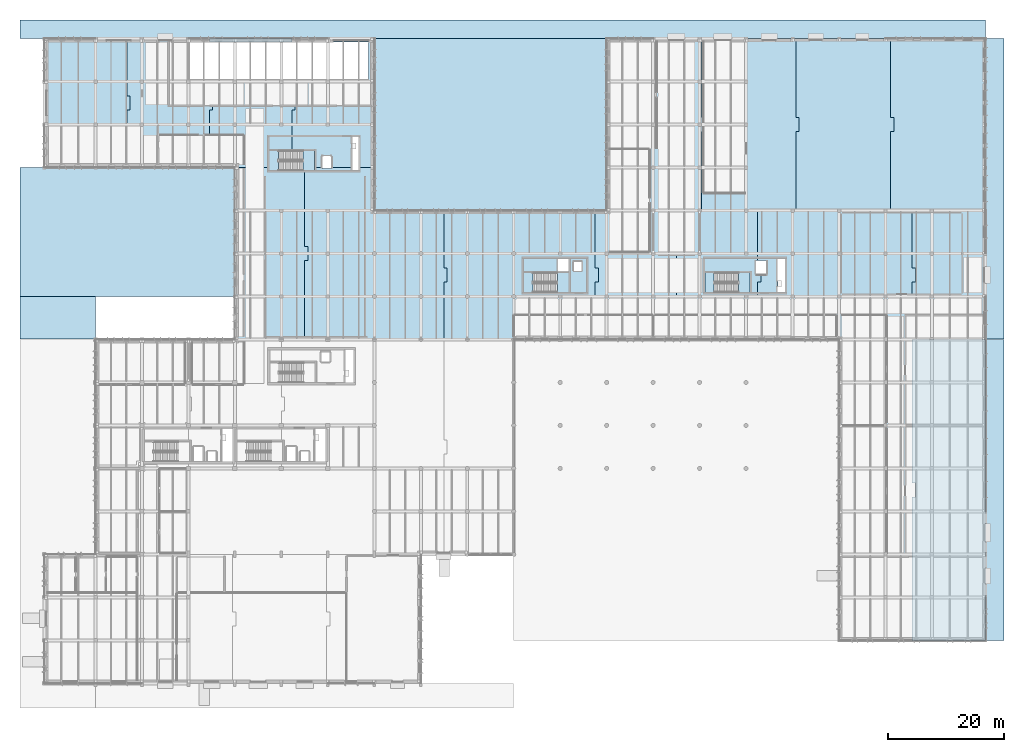
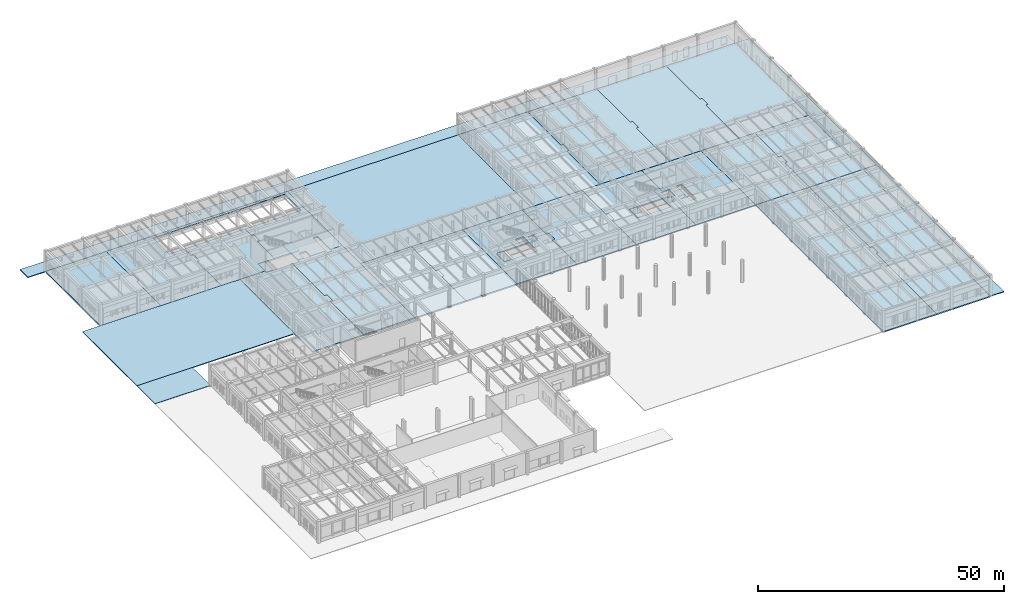
# One storey, part 13 of 56: 33 slabs, 3 elements without a shape of their own.
"""IFC4 building model written with IfcOpenShell, lengths in metres."""

from ifc_helpers import new_model, si_unit, direction, frame, origin, place, context, subcontext, project, spatial, polyline, outline, extrude, material, layer, layer_set, type_object, element, aggregate, save


model = new_model("IFC4")

# Units and contexts
model_context = context("Model", 3, precision=1e-05, world=origin(), true_north=direction((0.0, 1.0)))
body_context = subcontext(model_context, "Body", "Model", "MODEL_VIEW")
ifc_project = project(units=[si_unit("LENGTHUNIT", "METRE"), si_unit("AREAUNIT", "SQUARE_METRE"), si_unit("VOLUMEUNIT", "CUBIC_METRE"), si_unit("PLANEANGLEUNIT", "RADIAN"), si_unit("MASSUNIT", "GRAM", prefix="KILO")], contexts=[model_context])

# Site, building, storey
site_placement = place(None, origin())
site = spatial("IfcSite", under=ifc_project, at=site_placement, CompositionType="ELEMENT")
building_placement = place(site_placement, origin())
building = spatial("IfcBuilding", under=site, at=building_placement, Name="Valkorina Park Police Headquarters", CompositionType="ELEMENT")
storey_placement = place(building_placement, origin())
storey = spatial("IfcBuildingStorey", under=building, at=storey_placement, Name="L01", CompositionType="ELEMENT", Elevation=0.0)

# Stair, slab
ifc_material_1 = material(Name="Concrete C35/45", Category="concrete")
stair_type = type_object("IfcStairType", Name="ST-DOGLEG-160-54", PredefinedType="HALF_TURN_STAIR", material=ifc_material_1)
stair_1_placement = place(storey_placement, origin())
stair_1 = element("IfcStair", 1, at=stair_1_placement, inside=storey, type_object=stair_type, Name="L01 Core C4 Protected Stair (ST-02)", PredefinedType="HALF_TURN_STAIR")
ifc_layer_1 = layer(ifc_material_1, 0.22998046875)
ifc_layer_set_1 = layer_set([ifc_layer_1], Name="Concrete C35/45")
slab_type_1 = type_object("IfcSlabType", Name="SL-LANDING-230", PredefinedType="LANDING", material=ifc_layer_set_1)
slab_1_placement = place(storey_placement, frame((0.0, 0.0, 2.469970703125)))
slab_1 = element("IfcSlab", 2, at=slab_1_placement, type_object=slab_type_1, Name="ST-02 landing 1", PredefinedType="LANDING", context=body_context, shape_type="SweptSolid", body=[
    extrude(outline(polyline([(44.5, 88.300048828125), (46.5, 88.300048828125), (46.5, 91.699951171875), (44.5, 91.699951171875), (44.5, 88.300048828125)])), origin(), (0.0, 0.0, 1.0), 0.22998046875),
])
aggregate(stair_1, [slab_1])

stair_2_placement = place(storey_placement, origin())
stair_2 = element("IfcStair", 3, at=stair_2_placement, inside=storey, type_object=stair_type, Name="L01 Core C5 Protected Stair (ST-02)", PredefinedType="HALF_TURN_STAIR")
slab_2_placement = place(storey_placement, frame((0.0, 0.0, 2.469970703125)))
slab_2 = element("IfcSlab", 4, at=slab_2_placement, type_object=slab_type_1, Name="ST-02 landing 1", PredefinedType="LANDING", context=body_context, shape_type="SweptSolid", body=[
    extrude(outline(polyline([(119.5, 67.300048828125), (121.5, 67.300048828125), (121.5, 70.699951171875), (119.5, 70.699951171875), (119.5, 67.300048828125)])), origin(), (0.0, 0.0, 1.0), 0.22998046875),
])
aggregate(stair_2, [slab_2])

stair_3_placement = place(storey_placement, origin())
stair_3 = element("IfcStair", 5, at=stair_3_placement, inside=storey, type_object=stair_type, Name="L01 Core C6 Protected Stair (ST-02)", PredefinedType="HALF_TURN_STAIR")
slab_3_placement = place(storey_placement, frame((0.0, 0.0, 2.469970703125)))
slab_3 = element("IfcSlab", 6, at=slab_3_placement, type_object=slab_type_1, Name="ST-02 landing 1", PredefinedType="LANDING", context=body_context, shape_type="SweptSolid", body=[
    extrude(outline(polyline([(88.300048828125, 67.300048828125), (90.300048828125, 67.300048828125), (90.300048828125, 70.699951171875), (88.300048828125, 70.699951171875), (88.300048828125, 67.300048828125)])), origin(), (0.0, 0.0, 1.0), 0.22998046875),
])
aggregate(stair_3, [slab_3])

# Slabs
ifc_layer_2 = layer(ifc_material_1, 0.179931640625)
ifc_layer_set_2 = layer_set([ifc_layer_2], Name="Concrete C35/45")
slab_type_2 = type_object("IfcSlabType", Name="SL-PAVING-EXT-180", PredefinedType="USERDEFINED", material=ifc_layer_set_2)
slab_4_placement = place(storey_placement, frame((0.0, 0.0, -0.179931640625)))
element("IfcSlab", 7, at=slab_4_placement, inside=storey, type_object=slab_type_2, Name="Civic Arrival Forecourt Apron 2", ObjectType="PAVING", PredefinedType="USERDEFINED", context=body_context, shape_type="SweptSolid", body=[
    extrude(outline(polyline([(-4.199951171875, 59.241943359375), (8.800048828125, 59.241943359375), (8.800048828125, 66.60009765625), (-4.199951171875, 66.60009765625), (-4.199951171875, 59.241943359375)])), origin(), (0.0, 0.0, 1.0), 0.179931640625),
])
slab_5_placement = place(storey_placement, frame((0.0, 0.0, -0.179931640625)))
element("IfcSlab", 8, at=slab_5_placement, inside=storey, type_object=slab_type_2, Name="North Fleet and Sally-Port Driveway Apron 1", ObjectType="PAVING", PredefinedType="USERDEFINED", context=body_context, shape_type="SweptSolid", body=[
    extrude(outline(polyline([(-4.199951171875, 111.0), (0.0, 111.0), (56.800048828125, 111.0), (96.800048828125, 111.0), (162.0, 111.0), (162.0, 114.199951171875), (-4.199951171875, 114.199951171875), (-4.199951171875, 111.0)])), origin(), (0.0, 0.0, 1.0), 0.179931640625),
])
slab_6_placement = place(storey_placement, frame((0.0, 0.0, -0.179931640625)))
element("IfcSlab", 9, at=slab_6_placement, inside=storey, type_object=slab_type_2, Name="West Sally-Port Pull-Through Apron 1", ObjectType="PAVING", PredefinedType="USERDEFINED", context=body_context, shape_type="SweptSolid", body=[
    extrude(outline(polyline([(32.800048828125, 66.60009765625), (32.800048828125, 88.800048828125), (0.0, 88.800048828125), (-4.199951171875, 88.800048828125), (-4.199951171875, 66.60009765625), (32.800048828125, 66.60009765625)])), origin(), (0.0, 0.0, 1.0), 0.179931640625),
])
slab_7_placement = place(storey_placement, frame((0.0, 0.0, -0.179931640625)))
element("IfcSlab", 10, at=slab_7_placement, inside=storey, type_object=slab_type_2, Name="East Fire-Appliance Access Apron 1", ObjectType="PAVING", PredefinedType="USERDEFINED", context=body_context, shape_type="SweptSolid", body=[
    extrude(outline(polyline([(165.199951171875, 111.0), (162.0, 111.0), (162.0, 81.39990234375), (162.0, 59.241943359375), (165.199951171875, 59.241943359375), (165.199951171875, 111.0)])), origin(), (0.0, 0.0, 1.0), 0.179931640625),
])
slab_8_placement = place(storey_placement, frame((0.0, 0.0, -0.179931640625)))
element("IfcSlab", 11, at=slab_8_placement, inside=storey, type_object=slab_type_2, Name="East Fire-Appliance Access Apron 2", ObjectType="PAVING", PredefinedType="USERDEFINED", context=body_context, shape_type="SweptSolid", body=[
    extrude(outline(polyline([(165.199951171875, 59.19189453125), (162.0, 59.19189453125), (162.0, 7.39990234375), (165.199951171875, 7.39990234375), (165.199951171875, 59.19189453125)])), origin(), (0.0, 0.0, 1.0), 0.179931640625),
])
ifc_layer_3 = layer(ifc_material_1, 0.280029296875)
ifc_layer_set_3 = layer_set([ifc_layer_3], Name="Concrete C35/45")
slab_type_3 = type_object("IfcSlabType", Name="SL-PAVING-EXT-280", PredefinedType="USERDEFINED", material=ifc_layer_set_3)
slab_9_placement = place(storey_placement, frame((0.0, 0.0, -0.280029296875)))
element("IfcSlab", 12, at=slab_9_placement, inside=storey, type_object=slab_type_3, Name="North Fleet Courtyard Structural Deck over B01", ObjectType="PAVING", PredefinedType="USERDEFINED", context=body_context, shape_type="SweptSolid", body=[
    extrude(outline(polyline([(96.800048828125, 81.39990234375), (96.800048828125, 111.0), (56.800048828125, 111.0), (56.800048828125, 81.39990234375), (96.800048828125, 81.39990234375)])), origin(), (0.0, 0.0, 1.0), 0.280029296875),
])
ifc_material_2 = material(Name="Concrete C40/50", Category="concrete")
ifc_layer_4 = layer(ifc_material_2, 0.35009765625)
ifc_layer_set_4 = layer_set([ifc_layer_4], Name="Concrete C40/50")
slab_type_4 = type_object("IfcSlabType", Name="SL-PODIUM-HVY-350", PredefinedType="FLOOR", material=ifc_layer_set_4)
slab_10_placement = place(storey_placement, frame((0.0, 0.0, -0.35009765625)))
element("IfcSlab", 13, at=slab_10_placement, inside=storey, type_object=slab_type_4, Name="L01 Structural Floor Slab 11", PredefinedType="FLOOR", context=body_context, shape_type="SweptSolid", body=[
    extrude(outline(polyline([(68.800048828125, 59.241943359375), (68.800048828125, 69.12109375), (69.35009765625, 69.12109375), (69.35009765625, 71.52099609375), (68.800048828125, 71.52099609375), (68.800048828125, 81.39990234375), (56.800048828125, 81.39990234375), (56.800048828125, 59.241943359375), (68.800048828125, 59.241943359375)])), origin(), (0.0, 0.0, 1.0), 0.35009765625),
])
slab_11_placement = place(storey_placement, frame((0.0, 0.0, -0.35009765625)))
element("IfcSlab", 14, at=slab_11_placement, inside=storey, type_object=slab_type_4, Name="L01 Structural Floor Slab 12", PredefinedType="FLOOR", context=body_context, shape_type="SweptSolid", body=[
    extrude(outline(polyline([(68.800048828125, 81.39990234375), (68.800048828125, 71.52099609375), (69.35009765625, 71.52099609375), (69.35009765625, 69.12109375), (68.800048828125, 69.12109375), (68.800048828125, 59.241943359375), (80.800048828125, 59.241943359375), (80.800048828125, 81.39990234375), (68.800048828125, 81.39990234375)])), origin(), (0.0, 0.0, 1.0), 0.35009765625),
])
slab_12_placement = place(storey_placement, frame((0.0, 0.0, -0.35009765625)))
element("IfcSlab", 15, at=slab_12_placement, inside=storey, type_object=slab_type_4, Name="L01 Structural Floor Slab 15", PredefinedType="FLOOR", context=body_context, shape_type="SweptSolid", body=[
    extrude(outline(polyline([(14.199951171875, 88.800048828125), (14.199951171875, 98.699951171875), (14.75, 98.699951171875), (14.75, 101.10009765625), (14.199951171875, 101.10009765625), (14.199951171875, 111.0), (0.0, 111.0), (0.0, 88.800048828125), (14.199951171875, 88.800048828125)])), origin(), (0.0, 0.0, 1.0), 0.35009765625),
])
slab_13_placement = place(storey_placement, frame((0.0, 0.0, -0.35009765625)))
element("IfcSlab", 16, at=slab_13_placement, inside=storey, type_object=slab_type_4, Name="L01 Structural Floor Slab 16", PredefinedType="FLOOR", context=body_context, shape_type="SweptSolid", body=[
    extrude(outline(polyline([(28.39990234375, 111.0), (14.199951171875, 111.0), (14.199951171875, 101.10009765625), (14.75, 101.10009765625), (14.75, 98.699951171875), (14.199951171875, 98.699951171875), (14.199951171875, 88.800048828125), (28.39990234375, 88.800048828125), (28.39990234375, 98.699951171875), (28.949951171875, 98.699951171875), (28.949951171875, 101.10009765625), (28.39990234375, 101.10009765625), (28.39990234375, 103.800048828125), (24.800048828125, 103.800048828125), (24.800048828125, 110.39990234375), (28.39990234375, 110.39990234375), (28.39990234375, 111.0)])), origin(), (0.0, 0.0, 1.0), 0.35009765625),
])
slab_14_placement = place(storey_placement, frame((0.0, 0.0, -0.35009765625)))
element("IfcSlab", 17, at=slab_14_placement, inside=storey, type_object=slab_type_4, Name="L01 Structural Floor Slab 17", PredefinedType="FLOOR", context=body_context, shape_type="SweptSolid", body=[
    extrude(outline(polyline([(42.60009765625, 111.0), (28.39990234375, 111.0), (28.39990234375, 110.39990234375), (42.60009765625, 110.39990234375), (42.60009765625, 111.0)])), origin(), (0.0, 0.0, 1.0), 0.35009765625),
])
slab_15_placement = place(storey_placement, frame((0.0, 0.0, -0.35009765625)))
element("IfcSlab", 18, at=slab_15_placement, inside=storey, type_object=slab_type_4, Name="L01 Structural Floor Slab 18", PredefinedType="FLOOR", context=body_context, shape_type="SweptSolid", body=[
    extrude(outline(polyline([(42.60009765625, 103.800048828125), (28.39990234375, 103.800048828125), (28.39990234375, 101.10009765625), (28.949951171875, 101.10009765625), (28.949951171875, 98.699951171875), (28.39990234375, 98.699951171875), (28.39990234375, 88.800048828125), (38.699951171875, 88.800048828125), (38.699951171875, 91.699951171875), (42.60009765625, 91.699951171875), (42.60009765625, 98.699951171875), (43.14990234375, 98.699951171875), (43.14990234375, 101.10009765625), (42.60009765625, 101.10009765625), (42.60009765625, 103.800048828125)])), origin(), (0.0, 0.0, 1.0), 0.35009765625),
])
slab_16_placement = place(storey_placement, frame((0.0, 0.0, -0.35009765625)))
element("IfcSlab", 19, at=slab_16_placement, inside=storey, type_object=slab_type_4, Name="L01 Structural Floor Slab 19", PredefinedType="FLOOR", context=body_context, shape_type="SweptSolid", body=[
    extrude(outline(polyline([(42.60009765625, 111.0), (42.60009765625, 110.39990234375), (55.800048828125, 110.39990234375), (55.800048828125, 103.800048828125), (42.60009765625, 103.800048828125), (42.60009765625, 101.10009765625), (43.14990234375, 101.10009765625), (43.14990234375, 98.699951171875), (42.60009765625, 98.699951171875), (42.60009765625, 91.699951171875), (46.5, 91.699951171875), (46.5, 88.800048828125), (47.800048828125, 88.800048828125), (47.800048828125, 90.75), (49.39990234375, 90.75), (49.39990234375, 88.800048828125), (53.0, 88.800048828125), (53.0, 94.10009765625), (54.10009765625, 94.10009765625), (54.10009765625, 88.800048828125), (56.800048828125, 88.800048828125), (56.800048828125, 111.0), (42.60009765625, 111.0)])), origin(), (0.0, 0.0, 1.0), 0.35009765625),
])
ifc_layer_5 = layer(ifc_material_2, 0.419921875)
ifc_layer_set_5 = layer_set([ifc_layer_5], Name="Concrete C40/50")
slab_type_5 = type_object("IfcSlabType", Name="SL-RANGE-420", PredefinedType="FLOOR", material=ifc_layer_set_5)
slab_17_placement = place(storey_placement, frame((0.0, 0.0, -0.419921875)))
element("IfcSlab", 20, at=slab_17_placement, inside=storey, type_object=slab_type_5, Name="L01 Structural Floor Slab 24", PredefinedType="FLOOR", context=body_context, shape_type="SweptSolid", body=[
    extrude(outline(polyline([(113.10009765625, 81.39990234375), (113.10009765625, 95.0), (113.64990234375, 95.0), (113.64990234375, 97.39990234375), (113.10009765625, 97.39990234375), (113.10009765625, 111.0), (96.800048828125, 111.0), (96.800048828125, 81.39990234375), (113.10009765625, 81.39990234375)])), origin(), (0.0, 0.0, 1.0), 0.419921875),
])
slab_18_placement = place(storey_placement, frame((0.0, 0.0, -0.419921875)))
element("IfcSlab", 21, at=slab_18_placement, inside=storey, type_object=slab_type_5, Name="L01 Structural Floor Slab 25", PredefinedType="FLOOR", context=body_context, shape_type="SweptSolid", body=[
    extrude(outline(polyline([(129.39990234375, 111.0), (113.10009765625, 111.0), (113.10009765625, 97.39990234375), (113.64990234375, 97.39990234375), (113.64990234375, 95.0), (113.10009765625, 95.0), (113.10009765625, 81.39990234375), (129.39990234375, 81.39990234375), (129.39990234375, 95.0), (129.949951171875, 95.0), (129.949951171875, 97.39990234375), (129.39990234375, 97.39990234375), (129.39990234375, 111.0)])), origin(), (0.0, 0.0, 1.0), 0.419921875),
])
slab_19_placement = place(storey_placement, frame((0.0, 0.0, -0.419921875)))
element("IfcSlab", 22, at=slab_19_placement, inside=storey, type_object=slab_type_5, Name="L01 Structural Floor Slab 26", PredefinedType="FLOOR", context=body_context, shape_type="SweptSolid", body=[
    extrude(outline(polyline([(145.699951171875, 111.0), (129.39990234375, 111.0), (129.39990234375, 97.39990234375), (129.949951171875, 97.39990234375), (129.949951171875, 95.0), (129.39990234375, 95.0), (129.39990234375, 81.39990234375), (145.699951171875, 81.39990234375), (145.699951171875, 95.0), (146.25, 95.0), (146.25, 97.39990234375), (145.699951171875, 97.39990234375), (145.699951171875, 111.0)])), origin(), (0.0, 0.0, 1.0), 0.419921875),
])
slab_20_placement = place(storey_placement, frame((0.0, 0.0, -0.419921875)))
element("IfcSlab", 23, at=slab_20_placement, inside=storey, type_object=slab_type_5, Name="L01 Structural Floor Slab 27", PredefinedType="FLOOR", context=body_context, shape_type="SweptSolid", body=[
    extrude(outline(polyline([(145.699951171875, 111.0), (145.699951171875, 97.39990234375), (146.25, 97.39990234375), (146.25, 95.0), (145.699951171875, 95.0), (145.699951171875, 81.39990234375), (162.0, 81.39990234375), (162.0, 111.0), (145.699951171875, 111.0)])), origin(), (0.0, 0.0, 1.0), 0.419921875),
])
ifc_layer_6 = layer(ifc_material_2, 0.300048828125)
ifc_layer_set_6 = layer_set([ifc_layer_6], Name="Concrete C40/50")
slab_type_6 = type_object("IfcSlabType", Name="SL-VAULT-300", PredefinedType="FLOOR", material=ifc_layer_set_6)
slab_21_placement = place(storey_placement, frame((0.0, 0.0, -0.300048828125)))
element("IfcSlab", 24, at=slab_21_placement, inside=storey, type_object=slab_type_6, Name="L01 Structural Floor Slab 13", PredefinedType="FLOOR", context=body_context, shape_type="SweptSolid", body=[
    extrude(outline(polyline([(44.800048828125, 59.241943359375), (44.800048828125, 72.821044921875), (45.35009765625, 72.821044921875), (45.35009765625, 75.220947265625), (44.800048828125, 75.220947265625), (44.800048828125, 88.300048828125), (38.699951171875, 88.300048828125), (38.699951171875, 88.800048828125), (32.800048828125, 88.800048828125), (32.800048828125, 59.241943359375), (44.800048828125, 59.241943359375)])), origin(), (0.0, 0.0, 1.0), 0.300048828125),
])
slab_22_placement = place(storey_placement, frame((0.0, 0.0, -0.300048828125)))
element("IfcSlab", 25, at=slab_22_placement, inside=storey, type_object=slab_type_6, Name="L01 Structural Floor Slab 14", PredefinedType="FLOOR", context=body_context, shape_type="SweptSolid", body=[
    extrude(outline(polyline([(46.5, 88.800048828125), (46.5, 88.300048828125), (44.800048828125, 88.300048828125), (44.800048828125, 75.220947265625), (45.35009765625, 75.220947265625), (45.35009765625, 72.821044921875), (44.800048828125, 72.821044921875), (44.800048828125, 59.241943359375), (56.800048828125, 59.241943359375), (56.800048828125, 88.800048828125), (54.10009765625, 88.800048828125), (54.10009765625, 88.300048828125), (53.0, 88.300048828125), (53.0, 88.800048828125), (49.39990234375, 88.800048828125), (49.39990234375, 88.64990234375), (47.800048828125, 88.64990234375), (47.800048828125, 88.800048828125), (46.5, 88.800048828125)])), origin(), (0.0, 0.0, 1.0), 0.300048828125),
])
slab_23_placement = place(storey_placement, frame((0.0, 0.0, -0.300048828125)))
element("IfcSlab", 26, at=slab_23_placement, inside=storey, type_object=slab_type_6, Name="L01 Structural Floor Slab 20", PredefinedType="FLOOR", context=body_context, shape_type="SweptSolid", body=[
    extrude(outline(polyline([(94.800048828125, 59.241943359375), (94.800048828125, 69.12109375), (95.35009765625, 69.12109375), (95.35009765625, 71.52099609375), (94.800048828125, 71.52099609375), (94.800048828125, 81.39990234375), (80.800048828125, 81.39990234375), (80.800048828125, 59.241943359375), (94.800048828125, 59.241943359375)]), holes=[polyline([(82.5, 70.699951171875), (90.300048828125, 70.699951171875), (90.300048828125, 67.300048828125), (82.5, 67.300048828125), (82.5, 70.699951171875)]), polyline([(91.10009765625, 71.0), (91.10009765625, 72.60009765625), (92.5, 72.60009765625), (92.5, 71.0), (91.10009765625, 71.0)]), polyline([(90.300048828125, 70.97998046875), (88.39990234375, 70.97998046875), (88.39990234375, 73.10009765625), (90.300048828125, 73.10009765625), (90.300048828125, 70.97998046875)])]), origin(), (0.0, 0.0, 1.0), 0.300048828125),
])
slab_24_placement = place(storey_placement, frame((0.0, 0.0, -0.300048828125)))
element("IfcSlab", 27, at=slab_24_placement, inside=storey, type_object=slab_type_6, Name="L01 Structural Floor Slab 21", PredefinedType="FLOOR", context=body_context, shape_type="SweptSolid", body=[
    extrude(outline(polyline([(108.800048828125, 81.39990234375), (94.800048828125, 81.39990234375), (94.800048828125, 71.52099609375), (95.35009765625, 71.52099609375), (95.35009765625, 69.12109375), (94.800048828125, 69.12109375), (94.800048828125, 59.241943359375), (108.800048828125, 59.241943359375), (108.800048828125, 69.12109375), (109.35009765625, 69.12109375), (109.35009765625, 71.52099609375), (108.800048828125, 71.52099609375), (108.800048828125, 81.39990234375)])), origin(), (0.0, 0.0, 1.0), 0.300048828125),
])
slab_25_placement = place(storey_placement, frame((0.0, 0.0, -0.300048828125)))
element("IfcSlab", 28, at=slab_25_placement, inside=storey, type_object=slab_type_6, Name="L01 Structural Floor Slab 22", PredefinedType="FLOOR", context=body_context, shape_type="SweptSolid", body=[
    extrude(outline(polyline([(122.800048828125, 81.39990234375), (108.800048828125, 81.39990234375), (108.800048828125, 71.52099609375), (109.35009765625, 71.52099609375), (109.35009765625, 69.12109375), (108.800048828125, 69.12109375), (108.800048828125, 59.241943359375), (122.800048828125, 59.241943359375), (122.800048828125, 69.12109375), (123.35009765625, 69.12109375), (123.35009765625, 70.39990234375), (122.5, 70.39990234375), (122.5, 72.800048828125), (122.800048828125, 72.800048828125), (122.800048828125, 81.39990234375)]), holes=[polyline([(113.699951171875, 70.699951171875), (121.5, 70.699951171875), (121.5, 67.300048828125), (113.699951171875, 67.300048828125), (113.699951171875, 70.699951171875)])]), origin(), (0.0, 0.0, 1.0), 0.300048828125),
])
slab_26_placement = place(storey_placement, frame((0.0, 0.0, -0.300048828125)))
element("IfcSlab", 29, at=slab_26_placement, inside=storey, type_object=slab_type_6, Name="L01 Structural Floor Slab 23", PredefinedType="FLOOR", context=body_context, shape_type="SweptSolid", body=[
    extrude(outline(polyline([(122.800048828125, 81.39990234375), (122.800048828125, 72.800048828125), (124.300048828125, 72.800048828125), (124.300048828125, 70.39990234375), (123.35009765625, 70.39990234375), (123.35009765625, 69.12109375), (122.800048828125, 69.12109375), (122.800048828125, 59.241943359375), (136.800048828125, 59.241943359375), (136.800048828125, 81.39990234375), (122.800048828125, 81.39990234375)]), holes=[polyline([(127.5, 67.300048828125), (126.199951171875, 67.300048828125), (126.199951171875, 73.10009765625), (127.5, 73.10009765625), (127.5, 67.300048828125)])]), origin(), (0.0, 0.0, 1.0), 0.300048828125),
])
slab_27_placement = place(storey_placement, frame((0.0, 0.0, -0.300048828125)))
element("IfcSlab", 30, at=slab_27_placement, inside=storey, type_object=slab_type_6, Name="L01 Structural Floor Slab 28", PredefinedType="FLOOR", context=body_context, shape_type="SweptSolid", body=[
    extrude(outline(polyline([(149.39990234375, 7.39990234375), (149.39990234375, 32.095947265625), (149.949951171875, 32.095947265625), (149.949951171875, 34.49609375), (149.39990234375, 34.49609375), (149.39990234375, 59.19189453125), (136.800048828125, 59.19189453125), (136.800048828125, 7.39990234375), (149.39990234375, 7.39990234375)])), origin(), (0.0, 0.0, 1.0), 0.300048828125),
])
slab_28_placement = place(storey_placement, frame((0.0, 0.0, -0.300048828125)))
element("IfcSlab", 31, at=slab_28_placement, inside=storey, type_object=slab_type_6, Name="L01 Structural Floor Slab 29", PredefinedType="FLOOR", context=body_context, shape_type="SweptSolid", body=[
    extrude(outline(polyline([(149.39990234375, 59.19189453125), (149.39990234375, 34.49609375), (149.949951171875, 34.49609375), (149.949951171875, 32.095947265625), (149.39990234375, 32.095947265625), (149.39990234375, 7.39990234375), (162.0, 7.39990234375), (162.0, 59.19189453125), (149.39990234375, 59.19189453125)])), origin(), (0.0, 0.0, 1.0), 0.300048828125),
])
slab_29_placement = place(storey_placement, frame((0.0, 0.0, -0.300048828125)))
element("IfcSlab", 32, at=slab_29_placement, inside=storey, type_object=slab_type_6, Name="L01 Structural Floor Slab 30", PredefinedType="FLOOR", context=body_context, shape_type="SweptSolid", body=[
    extrude(outline(polyline([(149.39990234375, 59.241943359375), (149.39990234375, 69.12109375), (149.949951171875, 69.12109375), (149.949951171875, 71.52099609375), (149.39990234375, 71.52099609375), (149.39990234375, 81.39990234375), (136.800048828125, 81.39990234375), (136.800048828125, 59.241943359375), (149.39990234375, 59.241943359375)])), origin(), (0.0, 0.0, 1.0), 0.300048828125),
])
slab_30_placement = place(storey_placement, frame((0.0, 0.0, -0.300048828125)))
element("IfcSlab", 33, at=slab_30_placement, inside=storey, type_object=slab_type_6, Name="L01 Structural Floor Slab 31", PredefinedType="FLOOR", context=body_context, shape_type="SweptSolid", body=[
    extrude(outline(polyline([(149.39990234375, 81.39990234375), (149.39990234375, 71.52099609375), (149.949951171875, 71.52099609375), (149.949951171875, 69.12109375), (149.39990234375, 69.12109375), (149.39990234375, 59.241943359375), (162.0, 59.241943359375), (162.0, 81.39990234375), (149.39990234375, 81.39990234375)])), origin(), (0.0, 0.0, 1.0), 0.300048828125),
])
slab_31_placement = place(storey_placement, frame((0.0, 0.0, -0.300048828125)))
element("IfcSlab", 34, at=slab_31_placement, inside=storey, type_object=slab_type_6, Name="L01 Core C4 Structural Floor Landing Slab", PredefinedType="FLOOR", context=body_context, shape_type="SweptSolid", body=[
    extrude(outline(polyline([(38.699951171875, 88.300048828125), (40.300048828125, 88.300048828125), (40.300048828125, 91.699951171875), (38.699951171875, 91.699951171875), (38.699951171875, 88.300048828125)])), origin(), (0.0, 0.0, 1.0), 0.300048828125),
])
slab_32_placement = place(storey_placement, frame((0.0, 0.0, -0.300048828125)))
element("IfcSlab", 35, at=slab_32_placement, inside=storey, type_object=slab_type_6, Name="L01 Core C5 Structural Floor Landing Slab", PredefinedType="FLOOR", context=body_context, shape_type="SweptSolid", body=[
    extrude(outline(polyline([(113.699951171875, 67.300048828125), (115.300048828125, 67.300048828125), (115.300048828125, 70.699951171875), (113.699951171875, 70.699951171875), (113.699951171875, 67.300048828125)])), origin(), (0.0, 0.0, 1.0), 0.300048828125),
])
slab_33_placement = place(storey_placement, frame((0.0, 0.0, -0.300048828125)))
element("IfcSlab", 36, at=slab_33_placement, inside=storey, type_object=slab_type_6, Name="L01 Core C6 Structural Floor Landing Slab", PredefinedType="FLOOR", context=body_context, shape_type="SweptSolid", body=[
    extrude(outline(polyline([(82.5, 67.300048828125), (84.10009765625, 67.300048828125), (84.10009765625, 70.699951171875), (82.5, 70.699951171875), (82.5, 67.300048828125)])), origin(), (0.0, 0.0, 1.0), 0.300048828125),
])

save(model, "model.ifc")
